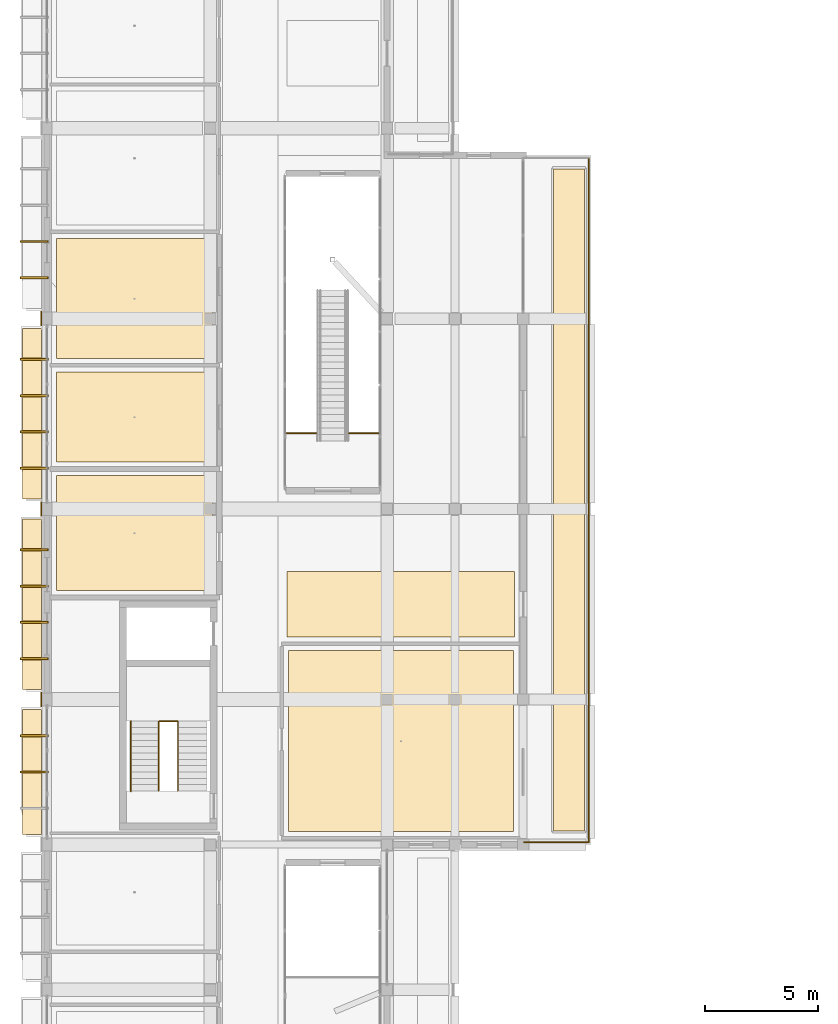
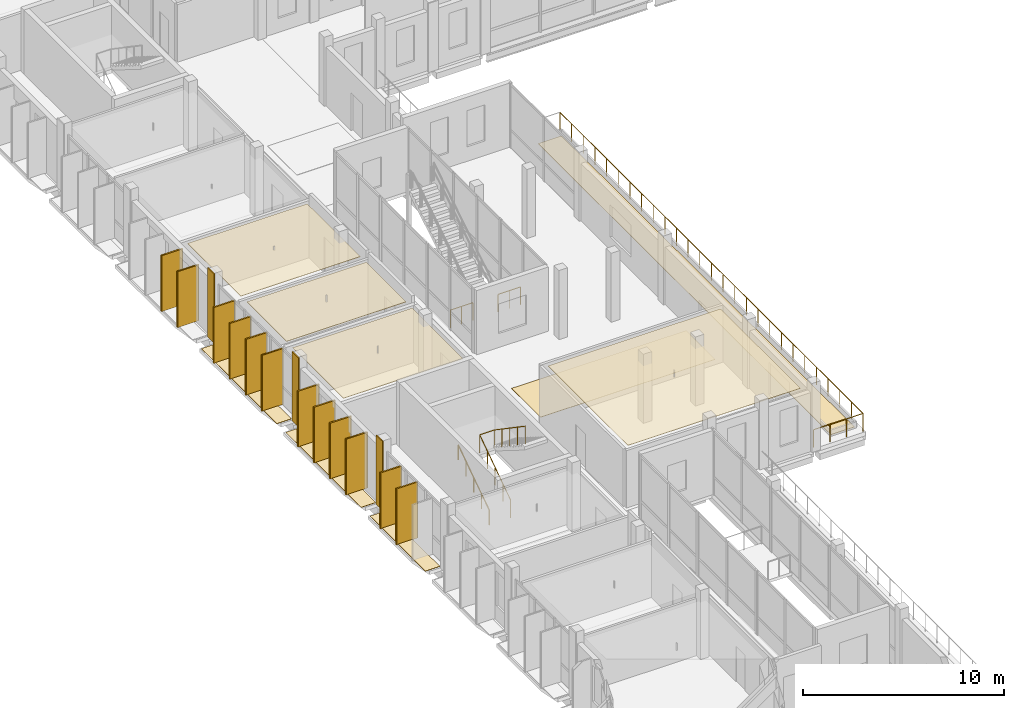
# One storey, part 74 of 85: 24 coverings, 12 shading devices, 6 railings.
"""IFC4 building model written with IfcOpenShell, lengths in metres."""

from ifc_helpers import new_model, si_unit, derived_unit, direction, frame, origin, origin_2d, place, context, subcontext, project, spatial, polyline, rectangle, circle, outline, extrude, material, layer, layer_set, type_object, element, save


model = new_model("IFC4")

# Units and contexts
model_context = context("Model", 3, precision=1e-05, world=origin(), true_north=direction((0.0, 1.0)))
body_context = subcontext(model_context, "Body", "Model", "MODEL_VIEW")
ifc_project = project(units=[si_unit("LENGTHUNIT", "METRE"), si_unit("AREAUNIT", "SQUARE_METRE"), si_unit("VOLUMEUNIT", "CUBIC_METRE"), si_unit("PLANEANGLEUNIT", "RADIAN"), si_unit("MASSUNIT", "GRAM", prefix="KILO"), derived_unit("THERMALTRANSMITTANCEUNIT", [(si_unit("POWERUNIT", "WATT"), 1), (si_unit("LENGTHUNIT", "METRE"), -2), (si_unit("THERMODYNAMICTEMPERATUREUNIT", "KELVIN"), -1)])], contexts=[model_context])

# Site, building, storey
site_placement = place(None, origin())
site = spatial("IfcSite", under=ifc_project, at=site_placement, CompositionType="ELEMENT")
building_placement = place(site_placement, origin())
building = spatial("IfcBuilding", under=site, at=building_placement, Name="Braskholm Square Health Centre", CompositionType="ELEMENT")
storey_placement = place(building_placement, frame((0.0, 0.0, 9.300048828125)))
storey = spatial("IfcBuildingStorey", under=building, at=storey_placement, Name="L03", CompositionType="ELEMENT", Elevation=9.300048828125)

# Coverings
ifc_material_1 = material(Name="Fire-rated gypsum board barrier")
ifc_layer_1 = layer(ifc_material_1, 0.02490234375)
ifc_layer_set_1 = layer_set([ifc_layer_1], Name="Fire-rated gypsum board barrier")
covering_type_1 = type_object("IfcCoveringType", Name="AcousticClinicalCeilingTile", PredefinedType="CEILING", material=ifc_layer_set_1)
covering_1_placement = place(storey_placement, frame((0.0, 0.0, 3.46484375)))
element("IfcCovering", 1, at=covering_1_placement, inside=storey, type_object=covering_type_1, Name="Acoustic ceiling L03-076", PredefinedType="CEILING", context=body_context, shape_type="SweptSolid", body=[
    extrude(outline(polyline([(4.6201171875, 60.199951171875), (11.5, 60.199951171875), (11.5, 65.27001953125), (4.6201171875, 65.27001953125), (4.6201171875, 60.199951171875)])), origin(), (0.0, 0.0, 1.0), 0.025146484375),
])
covering_2_placement = place(storey_placement, frame((0.0, 0.0, 3.48486328125)))
element("IfcCovering", 2, at=covering_2_placement, inside=storey, type_object=covering_type_1, Name="Acoustic ceiling L03-077", PredefinedType="CEILING", context=body_context, shape_type="SweptSolid", body=[
    extrude(outline(polyline([(4.6201171875, 65.8701171875), (11.5, 65.8701171875), (11.5, 69.840087890625), (4.6201171875, 69.840087890625), (4.6201171875, 65.8701171875)])), origin(), (0.0, 0.0, 1.0), 0.025146484375),
])
covering_3_placement = place(storey_placement, frame((0.0, 0.0, 3.46484375)))
element("IfcCovering", 3, at=covering_3_placement, inside=storey, type_object=covering_type_1, Name="Acoustic ceiling L03-078", PredefinedType="CEILING", context=body_context, shape_type="SweptSolid", body=[
    extrude(outline(polyline([(4.6201171875, 70.43994140625), (11.5, 70.43994140625), (11.5, 75.72998046875), (4.6201171875, 75.72998046875), (4.6201171875, 70.43994140625)])), origin(), (0.0, 0.0, 1.0), 0.025146484375),
])
covering_4_placement = place(storey_placement, frame((0.0, 0.0, 3.454833984375)))
element("IfcCovering", 4, at=covering_4_placement, inside=storey, type_object=covering_type_1, Name="Acoustic ceiling L03-093", PredefinedType="CEILING", context=body_context, shape_type="SweptSolid", body=[
    extrude(outline(polyline([(14.85009765625, 49.580078125), (24.780029296875, 49.580078125), (24.780029296875, 57.550048828125), (14.85009765625, 57.550048828125), (14.85009765625, 49.580078125)])), origin(), (0.0, 0.0, 1.0), 0.025146484375),
])

# Railings
ifc_material_2 = material(Name="Dark patinated chevron architectural bronze", Category="aluminium")
railing_type_1 = type_object("IfcRailingType", Name="BronzeChevronGuardrail1100", PredefinedType="GUARDRAIL", material=ifc_material_2)
railing_1_placement = place(storey_placement, frame((9.1298828125, 51.360107421875, 0.0)))
element("IfcRailing", 5, at=railing_1_placement, inside=storey, type_object=railing_type_1, Name="Stair ST-02 inner well guardrail L03", PredefinedType="GUARDRAIL", context=body_context, shape_type="SweptSolid", body=[
    extrude(circle(Radius=0.02392578125, at=origin_2d()), frame((0.0, 0.0, 1.076171875), z_axis=(0.0, 0.826231499792, 0.563330727682), x_axis=(-1.0, 0.0, 0.0)), (0.0, 0.0, 1.0), 3.7275390625),
    extrude(circle(Radius=0.02392578125, at=origin_2d()), frame((0.0, 3.079833984375, 3.17578125), z_axis=(1.0, 0.0, 0.0), x_axis=(0.0, 1.0, 0.0)), (0.0, 0.0, 1.0), 0.840087890625),
    extrude(circle(Radius=0.02392578125, at=origin_2d()), frame((0.840087890625, 3.079833984375, 3.17578125), z_axis=(0.0, -0.826201015165, 0.563375436579), x_axis=(1.0, 0.0, 0.0)), (0.0, 0.0, 1.0), 3.727783203125),
    extrude(circle(Radius=0.02099609375, at=origin_2d()), origin(), (0.0, 0.0, 1.0), 1.052001953125),
    extrude(circle(Radius=0.02099609375, at=origin_2d()), frame((0.0, 0.77001953125, 0.52490234375)), (0.0, 0.0, 1.0), 1.052001953125),
    extrude(circle(Radius=0.02099609375, at=origin_2d()), frame((0.0, 1.5400390625, 1.0498046875)), (0.0, 0.0, 1.0), 1.052001953125),
    extrude(circle(Radius=0.02099609375, at=origin_2d()), frame((0.0, 2.309814453125, 1.574951171875)), (0.0, 0.0, 1.0), 1.052001953125),
    extrude(circle(Radius=0.02099609375, at=origin_2d()), frame((0.0, 3.079833984375, 2.099853515625)), (0.0, 0.0, 1.0), 1.052001953125),
    extrude(circle(Radius=0.02099609375, at=origin_2d()), frame((0.840087890625, 3.079833984375, 2.099853515625)), (0.0, 0.0, 1.0), 1.052001953125),
    extrude(circle(Radius=0.02099609375, at=origin_2d()), frame((0.840087890625, 2.309814453125, 2.625)), (0.0, 0.0, 1.0), 1.052001953125),
    extrude(circle(Radius=0.02099609375, at=origin_2d()), frame((0.840087890625, 1.5400390625, 3.14990234375)), (0.0, 0.0, 1.0), 1.052001953125),
    extrude(circle(Radius=0.02099609375, at=origin_2d()), frame((0.840087890625, 0.77001953125, 3.6748046875)), (0.0, 0.0, 1.0), 1.052001953125),
    extrude(circle(Radius=0.02099609375, at=origin_2d()), frame((0.840087890625, 0.0, 4.199951171875)), (0.0, 0.0, 1.0), 1.052001953125),
])
for number, where, name in (
    (6, (14.780029296875, 67.14990234375, 0.0), "Atrium stair landing edge guard 23"),
    (7, (17.52001953125, 67.14990234375, 0.0), "Atrium stair landing edge guard 24"),
):
    element("IfcRailing", number, at=place(storey_placement, frame(where)), inside=storey, type_object=railing_type_1, Name=name, PredefinedType="GUARDRAIL", context=body_context, shape_type="SweptSolid", body=[
        extrude(circle(Radius=0.02392578125, at=origin_2d()), frame((0.0, 0.0, 1.076171875), z_axis=(1.0, 0.0, 0.0), x_axis=(0.0, 1.0, 0.0)), (0.0, 0.0, 1.0), 1.300048828125),
        extrude(circle(Radius=0.02099609375, at=origin_2d()), origin(), (0.0, 0.0, 1.0), 1.052001953125),
        extrude(circle(Radius=0.02099609375, at=origin_2d()), frame((0.64990234375, 0.0, 0.0)), (0.0, 0.0, 1.0), 1.052001953125),
        extrude(circle(Radius=0.02099609375, at=origin_2d()), frame((1.300048828125, 0.0, 0.0)), (0.0, 0.0, 1.0), 1.052001953125),
    ])
railing_2_placement = place(storey_placement, frame((25.25, 49.10009765625, 0.0)))
element("IfcRailing", 8, at=railing_2_placement, inside=storey, type_object=railing_type_1, Name="Bronze chevron guardrail 0025 L03", PredefinedType="GUARDRAIL", context=body_context, shape_type="SweptSolid", body=[
    extrude(circle(Radius=0.02392578125, at=origin_2d()), frame((0.0, 0.0, 1.076171875), z_axis=(1.0, 0.0, 0.0), x_axis=(0.0, 1.0, 0.0)), (0.0, 0.0, 1.0), 2.85009765625),
    extrude(circle(Radius=0.02099609375, at=origin_2d()), origin(), (0.0, 0.0, 1.0), 1.052001953125),
    extrude(circle(Radius=0.02099609375, at=origin_2d()), frame((0.949951171875, 0.0, 0.0)), (0.0, 0.0, 1.0), 1.052001953125),
    extrude(circle(Radius=0.02099609375, at=origin_2d()), frame((1.900146484375, 0.0, 0.0)), (0.0, 0.0, 1.0), 1.052001953125),
    extrude(circle(Radius=0.02099609375, at=origin_2d()), frame((2.85009765625, 0.0, 0.0)), (0.0, 0.0, 1.0), 1.052001953125),
])
railing_3_placement = place(storey_placement, frame((28.10009765625, 49.10009765625, 0.0)))
element("IfcRailing", 9, at=railing_3_placement, inside=storey, type_object=railing_type_1, Name="Bronze chevron guardrail 0026 L03", PredefinedType="GUARDRAIL", context=body_context, shape_type="SweptSolid", body=[
    extrude(circle(Radius=0.02392578125, at=origin_2d()), frame((0.0, 0.0, 1.076171875), z_axis=(0.0, 1.0, 0.0), x_axis=(-1.0, 0.0, 0.0)), (0.0, 0.0, 1.0), 30.199951171875),
    extrude(circle(Radius=0.02099609375, at=origin_2d()), origin(), (0.0, 0.0, 1.0), 1.052001953125),
    extrude(circle(Radius=0.02099609375, at=origin_2d()), frame((0.0, 1.16162109375, 0.0)), (0.0, 0.0, 1.0), 1.052001953125),
    extrude(circle(Radius=0.02099609375, at=origin_2d()), frame((0.0, 2.322998046875, 0.0)), (0.0, 0.0, 1.0), 1.052001953125),
    extrude(circle(Radius=0.02099609375, at=origin_2d()), frame((0.0, 3.484619140625, 0.0)), (0.0, 0.0, 1.0), 1.052001953125),
    extrude(circle(Radius=0.02099609375, at=origin_2d()), frame((0.0, 4.646240234375, 0.0)), (0.0, 0.0, 1.0), 1.052001953125),
    extrude(circle(Radius=0.02099609375, at=origin_2d()), frame((0.0, 5.8076171875, 0.0)), (0.0, 0.0, 1.0), 1.052001953125),
    extrude(circle(Radius=0.02099609375, at=origin_2d()), frame((0.0, 6.96923828125, 0.0)), (0.0, 0.0, 1.0), 1.052001953125),
    extrude(circle(Radius=0.02099609375, at=origin_2d()), frame((0.0, 8.130859375, 0.0)), (0.0, 0.0, 1.0), 1.052001953125),
    extrude(circle(Radius=0.02099609375, at=origin_2d()), frame((0.0, 9.292236328125, 0.0)), (0.0, 0.0, 1.0), 1.052001953125),
    extrude(circle(Radius=0.02099609375, at=origin_2d()), frame((0.0, 10.453857421875, 0.0)), (0.0, 0.0, 1.0), 1.052001953125),
    extrude(circle(Radius=0.02099609375, at=origin_2d()), frame((0.0, 11.615478515625, 0.0)), (0.0, 0.0, 1.0), 1.052001953125),
    extrude(circle(Radius=0.02099609375, at=origin_2d()), frame((0.0, 12.77685546875, 0.0)), (0.0, 0.0, 1.0), 1.052001953125),
    extrude(circle(Radius=0.02099609375, at=origin_2d()), frame((0.0, 13.9384765625, 0.0)), (0.0, 0.0, 1.0), 1.052001953125),
    extrude(circle(Radius=0.02099609375, at=origin_2d()), frame((0.0, 15.10009765625, 0.0)), (0.0, 0.0, 1.0), 1.052001953125),
    extrude(circle(Radius=0.02099609375, at=origin_2d()), frame((0.0, 16.261474609375, 0.0)), (0.0, 0.0, 1.0), 1.052001953125),
    extrude(circle(Radius=0.02099609375, at=origin_2d()), frame((0.0, 17.423095703125, 0.0)), (0.0, 0.0, 1.0), 1.052001953125),
    extrude(circle(Radius=0.02099609375, at=origin_2d()), frame((0.0, 18.58447265625, 0.0)), (0.0, 0.0, 1.0), 1.052001953125),
    extrude(circle(Radius=0.02099609375, at=origin_2d()), frame((0.0, 19.74609375, 0.0)), (0.0, 0.0, 1.0), 1.052001953125),
    extrude(circle(Radius=0.02099609375, at=origin_2d()), frame((0.0, 20.90771484375, 0.0)), (0.0, 0.0, 1.0), 1.052001953125),
    extrude(circle(Radius=0.02099609375, at=origin_2d()), frame((0.0, 22.069091796875, 0.0)), (0.0, 0.0, 1.0), 1.052001953125),
    extrude(circle(Radius=0.02099609375, at=origin_2d()), frame((0.0, 23.230712890625, 0.0)), (0.0, 0.0, 1.0), 1.052001953125),
    extrude(circle(Radius=0.02099609375, at=origin_2d()), frame((0.0, 24.392333984375, 0.0)), (0.0, 0.0, 1.0), 1.052001953125),
    extrude(circle(Radius=0.02099609375, at=origin_2d()), frame((0.0, 25.5537109375, 0.0)), (0.0, 0.0, 1.0), 1.052001953125),
    extrude(circle(Radius=0.02099609375, at=origin_2d()), frame((0.0, 26.71533203125, 0.0)), (0.0, 0.0, 1.0), 1.052001953125),
    extrude(circle(Radius=0.02099609375, at=origin_2d()), frame((0.0, 27.876953125, 0.0)), (0.0, 0.0, 1.0), 1.052001953125),
    extrude(circle(Radius=0.02099609375, at=origin_2d()), frame((0.0, 29.038330078125, 0.0)), (0.0, 0.0, 1.0), 1.052001953125),
    extrude(circle(Radius=0.02099609375, at=origin_2d()), frame((0.0, 30.199951171875, 0.0)), (0.0, 0.0, 1.0), 1.052001953125),
])

# Shading devices
ifc_material_3 = material(Name="Thermally modified western red cedar with bronze trim", Category="wood")
shading_device_type = type_object("IfcShadingDeviceType", Name="CedarBronzeShadingFin1250", PredefinedType="USERDEFINED", material=ifc_material_3)
for number, where, z_axis, x_axis, name in (
    (10, (3.635009765625, 52.199951171875, 0.0), (0.0, 0.0, 1.0), (1.0, 0.0, 0.0), "Warm cedar-bronze vertical shading slat 0074"),
    (11, (3.635009765625, 53.800048828125, 0.0), (0.0, 0.0, 1.0), (1.0, 0.0, 0.0), "Warm cedar-bronze vertical shading slat 0075"),
    (12, (3.635009765625, 57.199951171875, 0.0), (0.0, 0.0, 1.0), (1.0, 0.0, 0.0), "Warm cedar-bronze vertical shading slat 0076"),
    (13, (3.635009765625, 58.800048828125, 0.0), (0.0, 0.0, 1.0), (1.0, 0.0, 0.0), "Warm cedar-bronze vertical shading slat 0077"),
    (14, (3.635009765625, 60.39990234375, 0.0), (0.0, 0.0, 1.0), (1.0, 0.0, 0.0), "Warm cedar-bronze vertical shading slat 0078"),
    (15, (3.635009765625, 62.0, 0.0), (0.0, 0.0, 1.0), (1.0, 0.0, 0.0), "Warm cedar-bronze vertical shading slat 0079"),
    (16, (3.635009765625, 65.60009765625, 0.0), (0.0, 0.0, 1.0), (1.0, 0.0, 0.0), "Warm cedar-bronze vertical shading slat 0080"),
    (17, (3.635009765625, 67.199951171875, 0.0), (0.0, 0.0, 1.0), (1.0, 0.0, 0.0), "Warm cedar-bronze vertical shading slat 0081"),
    (18, (3.635009765625, 68.800048828125, 0.0), (0.0, 0.0, 1.0), (1.0, 0.0, 0.0), "Warm cedar-bronze vertical shading slat 0082"),
    (19, (3.635009765625, 70.39990234375, 0.0), (0.0, 0.0, 1.0), (1.0, 0.0, 0.0), "Warm cedar-bronze vertical shading slat 0083"),
    (20, (3.635009765625, 74.0, 0.0), (0.0, 0.0, 1.0), (1.0, 0.0, 0.0), "Warm cedar-bronze vertical shading slat 0084"),
    (21, (3.635009765625, 75.60009765625, 0.0), (0.0, 0.0, 1.0), (1.0, 0.0, 0.0), "Warm cedar-bronze vertical shading slat 0085"),
):
    element("IfcShadingDevice", number, at=place(storey_placement, frame(where, z_axis=z_axis, x_axis=x_axis)), inside=storey, type_object=shading_device_type, Name=name, ObjectType="FIN", PredefinedType="USERDEFINED", context=body_context, shape_type="SweptSolid", body=[
        extrude(rectangle(XDim=1.25, YDim=0.0849609375, at=origin_2d()), origin(), (0.0, 0.0, 1.0), 3.39990234375),
    ])

# Coverings
ifc_layer_2 = layer(ifc_material_3, 0.0849609375)
ifc_layer_set_2 = layer_set([ifc_layer_2], Name="Thermally modified western red cedar with bronze trim")
covering_type_2 = type_object("IfcCoveringType", Name="CedarBronzeSlatCladding", PredefinedType="CLADDING", material=ifc_layer_set_2)
for number, where, z_axis, x_axis, name in (
    (22, (3.6298828125, 52.199951171875, 0.0), (0.0, 0.0, 1.0), (1.0, 0.0, 0.0), "Cedar-bronze shading slat trim 0492"),
    (23, (3.6298828125, 53.800048828125, 0.0), (0.0, 0.0, 1.0), (1.0, 0.0, 0.0), "Cedar-bronze shading slat trim 0493"),
    (24, (3.6298828125, 57.199951171875, 0.0), (0.0, 0.0, 1.0), (1.0, 0.0, 0.0), "Cedar-bronze shading slat trim 0495"),
    (25, (3.6298828125, 58.800048828125, 0.0), (0.0, 0.0, 1.0), (1.0, 0.0, 0.0), "Cedar-bronze shading slat trim 0496"),
    (26, (3.6298828125, 60.39990234375, 0.0), (0.0, 0.0, 1.0), (1.0, 0.0, 0.0), "Cedar-bronze shading slat trim 0497"),
    (27, (3.6298828125, 62.0, 0.0), (0.0, 0.0, 1.0), (1.0, 0.0, 0.0), "Cedar-bronze shading slat trim 0498"),
    (28, (3.6298828125, 65.60009765625, 0.0), (0.0, 0.0, 1.0), (1.0, 0.0, 0.0), "Cedar-bronze shading slat trim 0500"),
    (29, (3.6298828125, 67.199951171875, 0.0), (0.0, 0.0, 1.0), (1.0, 0.0, 0.0), "Cedar-bronze shading slat trim 0501"),
    (30, (3.6298828125, 68.800048828125, 0.0), (0.0, 0.0, 1.0), (1.0, 0.0, 0.0), "Cedar-bronze shading slat trim 0502"),
    (31, (3.6298828125, 70.39990234375, 0.0), (0.0, 0.0, 1.0), (1.0, 0.0, 0.0), "Cedar-bronze shading slat trim 0503"),
    (32, (3.6298828125, 74.0, 0.0), (0.0, 0.0, 1.0), (1.0, 0.0, 0.0), "Cedar-bronze shading slat trim 0505"),
    (33, (3.6298828125, 75.60009765625, 0.0), (0.0, 0.0, 1.0), (1.0, 0.0, 0.0), "Cedar-bronze shading slat trim 0506"),
):
    element("IfcCovering", number, at=place(storey_placement, frame(where, z_axis=z_axis, x_axis=x_axis)), inside=storey, type_object=covering_type_2, Name=name, PredefinedType="CLADDING", context=body_context, shape_type="SweptSolid", body=[
        extrude(rectangle(XDim=1.179931640625, YDim=0.094970703125, at=origin_2d()), origin(), (0.0, 0.0, 1.0), 3.39990234375),
    ])
ifc_material_4 = material(Name="Intensive botanical sedum and native prairie garden bed")
ifc_layer_3 = layer(ifc_material_4, 0.02490234375)
ifc_layer_set_3 = layer_set([ifc_layer_3], Name="Intensive botanical sedum and native prairie garden bed")
covering_type_3 = type_object("IfcCoveringType", Name="PlantedTerraceGardenBed", PredefinedType="ROOFING", material=ifc_layer_set_3)
covering_5_placement = place(storey_placement, origin())
element("IfcCovering", 34, at=covering_5_placement, inside=storey, type_object=covering_type_3, Name="West floor planter ledge sedum strip 0494", PredefinedType="ROOFING", context=body_context, shape_type="SweptSolid", body=[
    extrude(outline(polyline([(3.1201171875, 49.43994140625), (3.949951171875, 49.43994140625), (3.949951171875, 54.9599609375), (3.1201171875, 54.9599609375), (3.1201171875, 49.43994140625)])), origin(), (0.0, 0.0, 1.0), 0.02490234375),
])
covering_6_placement = place(storey_placement, origin())
element("IfcCovering", 35, at=covering_6_placement, inside=storey, type_object=covering_type_3, Name="West floor planter ledge sedum strip 0499", PredefinedType="ROOFING", context=body_context, shape_type="SweptSolid", body=[
    extrude(outline(polyline([(3.1201171875, 55.840087890625), (3.949951171875, 55.840087890625), (3.949951171875, 63.360107421875), (3.1201171875, 63.360107421875), (3.1201171875, 55.840087890625)])), origin(), (0.0, 0.0, 1.0), 0.02490234375),
])
covering_7_placement = place(storey_placement, origin())
element("IfcCovering", 36, at=covering_7_placement, inside=storey, type_object=covering_type_3, Name="West floor planter ledge sedum strip 0504", PredefinedType="ROOFING", context=body_context, shape_type="SweptSolid", body=[
    extrude(outline(polyline([(3.1201171875, 64.239990234375), (3.949951171875, 64.239990234375), (3.949951171875, 71.760009765625), (3.1201171875, 71.760009765625), (3.1201171875, 64.239990234375)])), origin(), (0.0, 0.0, 1.0), 0.02490234375),
])
covering_8_placement = place(storey_placement, origin())
element("IfcCovering", 37, at=covering_8_placement, inside=storey, type_object=covering_type_3, Name="Planted therapy terrace garden bed 0909", PredefinedType="ROOFING", context=body_context, shape_type="SweptSolid", body=[
    extrude(outline(polyline([(26.550048828125, 49.60009765625), (27.89990234375, 49.60009765625), (27.89990234375, 78.800048828125), (26.550048828125, 78.800048828125), (26.550048828125, 49.60009765625)])), origin(), (0.0, 0.0, 1.0), 0.02490234375),
])
ifc_material_5 = material(Name="Polished geometric terrazzo flooring", Category="masonry")
ifc_layer_4 = layer(ifc_material_5, 0.02001953125)
ifc_layer_set_4 = layer_set([ifc_layer_4], Name="Polished geometric terrazzo flooring")
covering_type_4 = type_object("IfcCoveringType", Name="PolishedTerrazzoFloorFinish", PredefinedType="FLOORING", material=ifc_layer_set_4)
covering_9_placement = place(storey_placement, origin())
element("IfcCovering", 38, at=covering_9_placement, inside=storey, type_object=covering_type_4, Name="Polished terrazzo floor L03-087", PredefinedType="FLOORING", context=body_context, shape_type="SweptSolid", body=[
    extrude(outline(polyline([(14.780029296875, 58.14990234375), (24.830078125, 58.14990234375), (24.830078125, 61.050048828125), (14.780029296875, 61.050048828125), (14.780029296875, 58.14990234375)])), origin(), (0.0, 0.0, 1.0), 0.02001953125),
])
ifc_material_6 = material(Name="Precast concrete C40/50 architectural white", Category="concrete")
ifc_layer_5 = layer(ifc_material_6, 0.054931640625)
ifc_layer_set_5 = layer_set([ifc_layer_5], Name="Precast concrete C40/50 architectural white")
covering_type_5 = type_object("IfcCoveringType", Name="PrecastWhiteColumnCasing", PredefinedType="CLADDING", material=ifc_layer_set_5)
for number, where, z_axis, x_axis, name in (
    (39, (3.945068359375, 55.39990234375, 0.0), (0.0, 0.0, 1.0), (1.0, 0.0, 0.0), "Giant-order white precast column casing 0075"),
    (40, (3.945068359375, 63.800048828125, 0.0), (0.0, 0.0, 1.0), (1.0, 0.0, 0.0), "Giant-order white precast column casing 0084"),
    (41, (3.945068359375, 72.199951171875, 0.0), (0.0, 0.0, 1.0), (1.0, 0.0, 0.0), "Giant-order white precast column casing 0093"),
):
    element("IfcCovering", number, at=place(storey_placement, frame(where, z_axis=z_axis, x_axis=x_axis)), inside=storey, type_object=covering_type_5, Name=name, PredefinedType="CLADDING", context=body_context, shape_type="SweptSolid", body=[
        extrude(rectangle(XDim=0.06005859375, YDim=0.639892578125, at=origin_2d()), origin(), (0.0, 0.0, 1.0), 4.199951171875),
    ])

# Railing
railing_type_2 = type_object("IfcRailingType", Name="StairTubularHandrail915", PredefinedType="HANDRAIL", material=ifc_material_2)
railing_4_placement = place(storey_placement, frame((7.89990234375, 51.360107421875, 0.0)))
element("IfcRailing", 42, at=railing_4_placement, inside=storey, type_object=railing_type_2, Name="Stair ST-02 wall handrail F1 L03", PredefinedType="HANDRAIL", context=body_context, shape_type="SweptSolid", body=[
    extrude(circle(Radius=0.02392578125, at=origin_2d()), frame((0.0, 0.0, 0.89111328125), z_axis=(0.0, 0.826231499792, 0.563330727682), x_axis=(-1.0, 0.0, 0.0)), (0.0, 0.0, 1.0), 3.7275390625),
    extrude(circle(Radius=0.02099609375, at=origin_2d()), origin(), (0.0, 0.0, 1.0), 0.866943359375),
    extrude(circle(Radius=0.02099609375, at=origin_2d()), frame((0.0, 0.77001953125, 0.52490234375)), (0.0, 0.0, 1.0), 0.866943359375),
    extrude(circle(Radius=0.02099609375, at=origin_2d()), frame((0.0, 1.5400390625, 1.0498046875)), (0.0, 0.0, 1.0), 0.866943359375),
    extrude(circle(Radius=0.02099609375, at=origin_2d()), frame((0.0, 2.309814453125, 1.574951171875)), (0.0, 0.0, 1.0), 0.866943359375),
    extrude(circle(Radius=0.02099609375, at=origin_2d()), frame((0.0, 3.079833984375, 2.099853515625)), (0.0, 0.0, 1.0), 0.866943359375),
])

save(model, "model.ifc")
